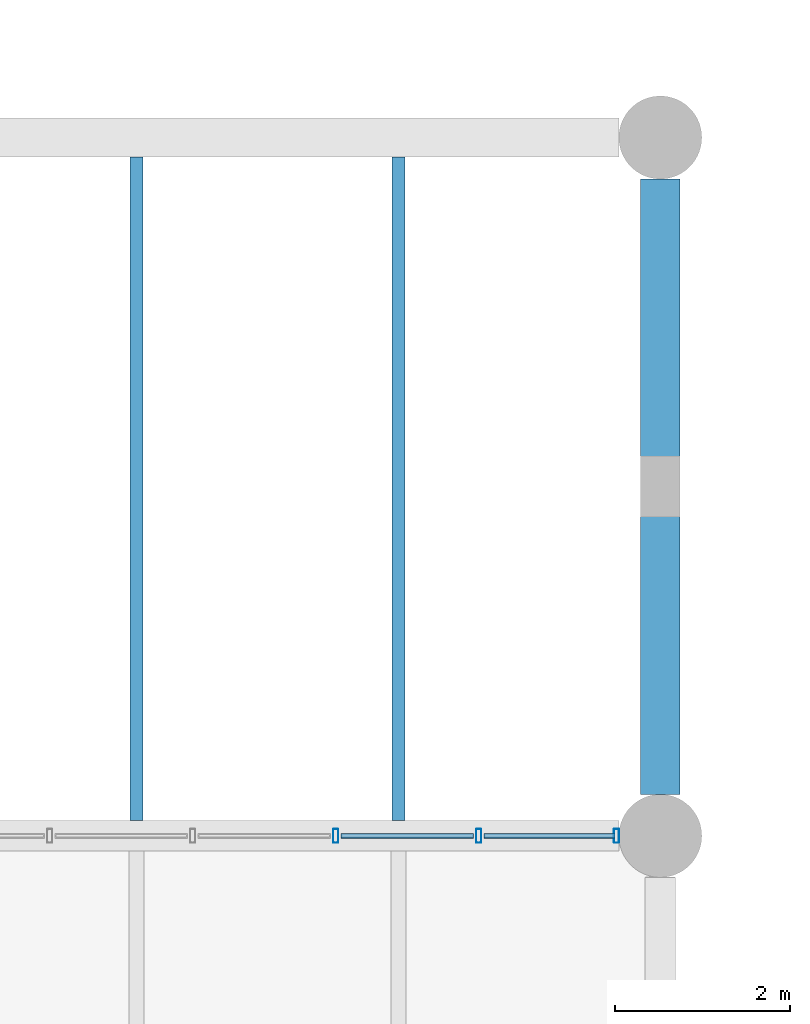
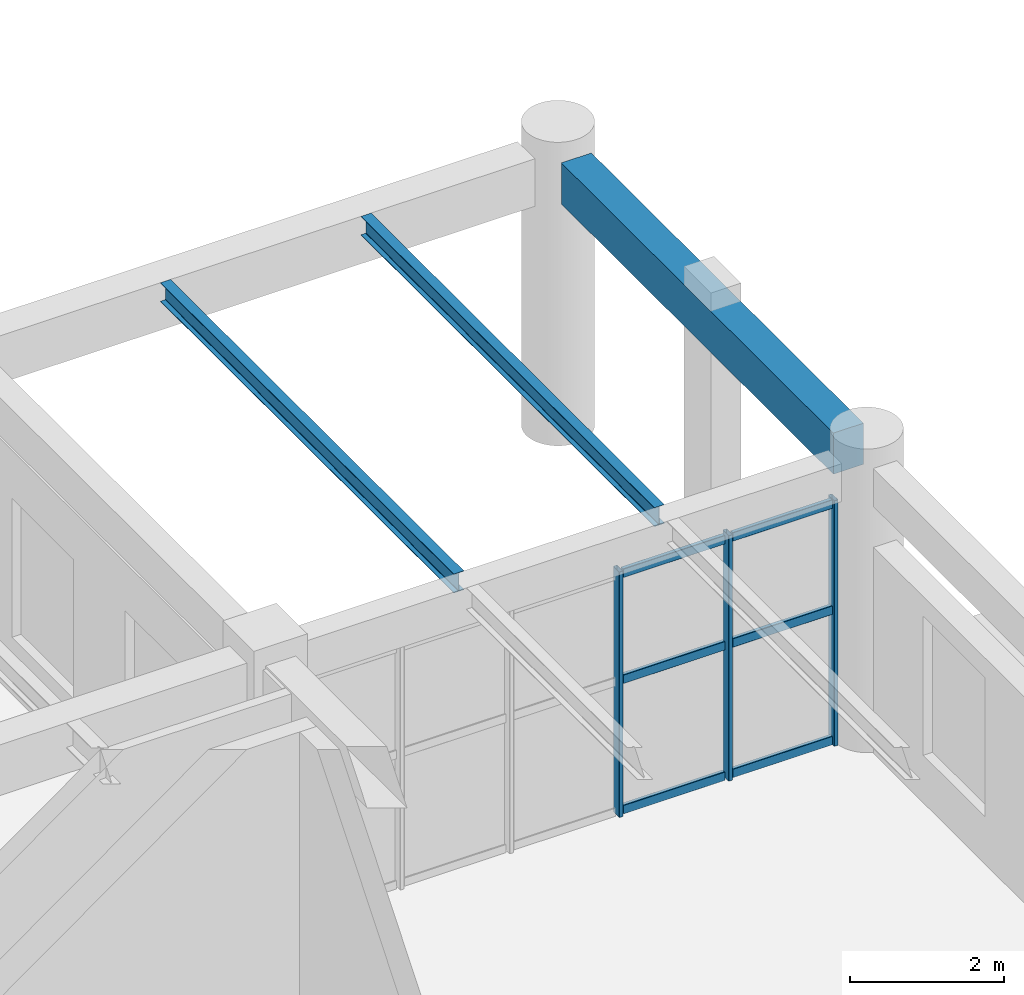
# One storey, part 100 of 178: 9 members, 3 beams, 1 element without a shape of its own.
"""IFC4 building model written with IfcOpenShell, lengths in metres."""

from ifc_helpers import new_model, si_unit, derived_unit, direction, frame, origin, origin_2d, place, context, subcontext, project, spatial, rectangle, hollow_rectangle, i_section, extrude, material, material_profile, profile_set, type_object, element, aggregate, save


model = new_model("IFC4")

# Units and contexts
model_context = context("Model", 3, precision=1e-05, world=origin(), true_north=direction((0.0, 1.0)))
body_context = subcontext(model_context, "Body", "Model", "MODEL_VIEW")
ifc_project = project(units=[si_unit("LENGTHUNIT", "METRE"), si_unit("AREAUNIT", "SQUARE_METRE"), si_unit("VOLUMEUNIT", "CUBIC_METRE"), si_unit("PLANEANGLEUNIT", "RADIAN"), si_unit("MASSUNIT", "GRAM", prefix="KILO"), derived_unit("THERMALTRANSMITTANCEUNIT", [(si_unit("MASSUNIT", "GRAM", prefix="KILO"), 1), (si_unit("TIMEUNIT", "SECOND"), -3), (si_unit("THERMODYNAMICTEMPERATUREUNIT", "KELVIN"), -1)])], contexts=[model_context])

# Site, building, storey
site_placement = place(None, origin())
site = spatial("IfcSite", under=ifc_project, at=site_placement, CompositionType="ELEMENT")
building_placement = place(site_placement, origin())
building = spatial("IfcBuilding", under=site, at=building_placement, Name="Zhenchuan Archway Interchange", CompositionType="ELEMENT")
storey_placement = place(building_placement, frame((0.0, 0.0, 5.39990234375)))
storey = spatial("IfcBuildingStorey", under=building, at=storey_placement, Name="L01", CompositionType="ELEMENT", Elevation=5.39990234375)

# Beam
ifc_material_1 = material(Name="Concrete C40", Category="concrete")
ifc_material_profile_1 = material_profile(ifc_material_1, rectangle(XDim=0.449951171875, YDim=0.64990234375, at=origin_2d()), Name="RC 450x650")
ifc_profile_set_1 = profile_set([ifc_material_profile_1], Name="Concrete C40")
beam_type_1 = type_object("IfcBeamType", Name="BM_RC_450x650", PredefinedType="BEAM", material=ifc_profile_set_1)
beam_placement = place(storey_placement, frame((72.0, 88.47509765625, 4.18505859375), z_axis=(0.0, 1.0, 0.0), x_axis=(-1.0, 0.0, 0.0)))
element("IfcBeam", 1, at=beam_placement, inside=storey, type_object=beam_type_1, Name="Beam 9:M-N (L01)", PredefinedType="BEAM", context=body_context, shape_type="SweptSolid", body=[
    extrude(rectangle(XDim=0.449951171875, YDim=0.64990234375, at=origin_2d()), origin(), (0.0, 0.0, 1.0), 7.0498046875),
])

# Curtain wall, members
ifc_material_2 = material(Name="Anodised Aluminium", Category="aluminium")
curtain_wall_type = type_object("IfcCurtainWallType", Name="CW_UNIT_1", PredefinedType="NOTDEFINED", material=ifc_material_2)
curtain_wall_placement = place(storey_placement, origin())
curtain_wall = element("IfcCurtainWall", 2, at=curtain_wall_placement, inside=storey, type_object=curtain_wall_type, Name="Unitised curtain wall CW:L01:052", PredefinedType="NOTDEFINED")
ifc_material_profile_2 = material_profile(ifc_material_2, hollow_rectangle(XDim=0.06005859375, YDim=0.159912109375, WallThickness=0.00390625, InnerFilletRadius=0.00390625, OuterFilletRadius=0.008056640625, at=origin_2d()), Name="ALU 160x60x4")
ifc_profile_set_2 = profile_set([ifc_material_profile_2], Name="Anodised Aluminium")
member_type_1 = type_object("IfcMemberType", Name="CW_MUL_150", PredefinedType="MULLION", material=ifc_profile_set_2)
member_1_placement = place(storey_placement, frame((68.281982421875, 88.0, 0.0), z_axis=(0.0, 0.0, 1.0), x_axis=(1.0, 0.0, 0.0)))
member_1 = element("IfcMember", 3, at=member_1_placement, type_object=member_type_1, Name="CW:L01:052 mullion 3", PredefinedType="MULLION", context=body_context, shape_type="SweptSolid", body=[
    extrude(hollow_rectangle(XDim=0.06005859375, YDim=0.159912109375, WallThickness=0.00390625, InnerFilletRadius=0.00390625, OuterFilletRadius=0.008056640625, at=origin_2d()), origin(), (0.0, 0.0, 1.0), 3.880126953125),
])
member_2_placement = place(storey_placement, frame((69.919921875, 88.0, 0.0), z_axis=(0.0, 0.0, 1.0), x_axis=(1.0, 0.0, 0.0)))
member_2 = element("IfcMember", 4, at=member_2_placement, type_object=member_type_1, Name="CW:L01:052 mullion 4", PredefinedType="MULLION", context=body_context, shape_type="SweptSolid", body=[
    extrude(hollow_rectangle(XDim=0.06005859375, YDim=0.159912109375, WallThickness=0.00390625, InnerFilletRadius=0.00390625, OuterFilletRadius=0.008056640625, at=origin_2d()), origin(), (0.0, 0.0, 1.0), 3.880126953125),
])
member_3_placement = place(storey_placement, frame((71.498046875, 88.0, 0.0), z_axis=(0.0, 0.0, 1.0), x_axis=(1.0, 0.0, 0.0)))
member_3 = element("IfcMember", 5, at=member_3_placement, type_object=member_type_1, Name="CW:L01:052 mullion 5", PredefinedType="MULLION", context=body_context, shape_type="SweptSolid", body=[
    extrude(hollow_rectangle(XDim=0.06005859375, YDim=0.159912109375, WallThickness=0.00390625, InnerFilletRadius=0.00390625, OuterFilletRadius=0.008056640625, at=origin_2d()), origin(), (0.0, 0.0, 1.0), 3.880126953125),
])
ifc_material_profile_3 = material_profile(ifc_material_2, hollow_rectangle(XDim=0.06005859375, YDim=0.139892578125, WallThickness=0.00341796875, InnerFilletRadius=0.00341796875, OuterFilletRadius=0.007080078125, at=origin_2d()), Name="ALU 140x60x3.5")
ifc_profile_set_3 = profile_set([ifc_material_profile_3], Name="Anodised Aluminium")
member_type_2 = type_object("IfcMemberType", Name="CW_TRN_140", PredefinedType="USERDEFINED", material=ifc_profile_set_3)
member_4_placement = place(storey_placement, frame((68.342041015625, 88.0, 0.06005859375), z_axis=(1.0, 0.0, 0.0), x_axis=(0.0, 1.0, 0.0)))
member_4 = element("IfcMember", 6, at=member_4_placement, type_object=member_type_2, Name="CW:L01:052 transom 3-1", ObjectType="TRANSOM", PredefinedType="USERDEFINED", context=body_context, shape_type="SweptSolid", body=[
    extrude(hollow_rectangle(XDim=0.06005859375, YDim=0.139892578125, WallThickness=0.00341796875, InnerFilletRadius=0.00341796875, OuterFilletRadius=0.007080078125, at=origin_2d()), origin(), (0.0, 0.0, 1.0), 1.51806640625),
])
member_5_placement = place(storey_placement, frame((68.342041015625, 88.0, 2.123046875), z_axis=(1.0, 0.0, 0.0), x_axis=(0.0, 1.0, 0.0)))
member_5 = element("IfcMember", 7, at=member_5_placement, type_object=member_type_2, Name="CW:L01:052 transom 3-2", ObjectType="TRANSOM", PredefinedType="USERDEFINED", context=body_context, shape_type="SweptSolid", body=[
    extrude(hollow_rectangle(XDim=0.06005859375, YDim=0.139892578125, WallThickness=0.00341796875, InnerFilletRadius=0.00341796875, OuterFilletRadius=0.007080078125, at=origin_2d()), origin(), (0.0, 0.0, 1.0), 1.51806640625),
])
member_6_placement = place(storey_placement, frame((68.342041015625, 88.0, 3.800048828125), z_axis=(1.0, 0.0, 0.0), x_axis=(0.0, 1.0, 0.0)))
member_6 = element("IfcMember", 8, at=member_6_placement, type_object=member_type_2, Name="CW:L01:052 transom 3-3", ObjectType="TRANSOM", PredefinedType="USERDEFINED", context=body_context, shape_type="SweptSolid", body=[
    extrude(hollow_rectangle(XDim=0.06005859375, YDim=0.139892578125, WallThickness=0.00341796875, InnerFilletRadius=0.00341796875, OuterFilletRadius=0.007080078125, at=origin_2d()), origin(), (0.0, 0.0, 1.0), 1.51806640625),
])
member_7_placement = place(storey_placement, frame((69.97998046875, 88.0, 0.06005859375), z_axis=(1.0, 0.0, 0.0), x_axis=(0.0, 1.0, 0.0)))
member_7 = element("IfcMember", 9, at=member_7_placement, type_object=member_type_2, Name="CW:L01:052 transom 4-1", ObjectType="TRANSOM", PredefinedType="USERDEFINED", context=body_context, shape_type="SweptSolid", body=[
    extrude(hollow_rectangle(XDim=0.06005859375, YDim=0.139892578125, WallThickness=0.00341796875, InnerFilletRadius=0.00341796875, OuterFilletRadius=0.007080078125, at=origin_2d()), origin(), (0.0, 0.0, 1.0), 1.498046875),
])
member_8_placement = place(storey_placement, frame((69.97998046875, 88.0, 2.123046875), z_axis=(1.0, 0.0, 0.0), x_axis=(0.0, 1.0, 0.0)))
member_8 = element("IfcMember", 10, at=member_8_placement, type_object=member_type_2, Name="CW:L01:052 transom 4-2", ObjectType="TRANSOM", PredefinedType="USERDEFINED", context=body_context, shape_type="SweptSolid", body=[
    extrude(hollow_rectangle(XDim=0.06005859375, YDim=0.139892578125, WallThickness=0.00341796875, InnerFilletRadius=0.00341796875, OuterFilletRadius=0.007080078125, at=origin_2d()), origin(), (0.0, 0.0, 1.0), 1.498046875),
])
member_9_placement = place(storey_placement, frame((69.97998046875, 88.0, 3.800048828125), z_axis=(1.0, 0.0, 0.0), x_axis=(0.0, 1.0, 0.0)))
member_9 = element("IfcMember", 11, at=member_9_placement, type_object=member_type_2, Name="CW:L01:052 transom 4-3", ObjectType="TRANSOM", PredefinedType="USERDEFINED", context=body_context, shape_type="SweptSolid", body=[
    extrude(hollow_rectangle(XDim=0.06005859375, YDim=0.139892578125, WallThickness=0.00341796875, InnerFilletRadius=0.00341796875, OuterFilletRadius=0.007080078125, at=origin_2d()), origin(), (0.0, 0.0, 1.0), 1.498046875),
])
aggregate(curtain_wall, [member_1, member_2, member_3, member_4, member_5, member_6, member_7, member_8, member_9])

# Beams
ifc_material_3 = material(Name="Steel Q355", Category="steel")
ifc_material_profile_4 = material_profile(ifc_material_3, i_section(OverallWidth=0.14990234375, OverallDepth=0.300048828125, WebThickness=0.006591796875, FlangeThickness=0.009033203125, FilletRadius=0.012939453125, at=origin_2d()), Name="HN 300x150")
ifc_profile_set_4 = profile_set([ifc_material_profile_4], Name="Steel Q355")
beam_type_2 = type_object("IfcBeamType", Name="JST_STL_HN300", PredefinedType="JOIST", material=ifc_profile_set_4)
for number, where, z_axis, x_axis, name in (
    (12, (66.0, 88.175048828125, 4.360107421875), (0.0, 1.0, 0.0), (-1.0, 0.0, 0.0), "Secondary joist 8-9/M-N #1 (L01)"),
    (13, (69.0, 88.175048828125, 4.360107421875), (0.0, 1.0, 0.0), (-1.0, 0.0, 0.0), "Secondary joist 8-9/M-N #2 (L01)"),
):
    element("IfcBeam", number, at=place(storey_placement, frame(where, z_axis=z_axis, x_axis=x_axis)), inside=storey, type_object=beam_type_2, Name=name, PredefinedType="JOIST", context=body_context, shape_type="SweptSolid", body=[
        extrude(i_section(OverallWidth=0.14990234375, OverallDepth=0.300048828125, WebThickness=0.006591796875, FlangeThickness=0.009033203125, FilletRadius=0.012939453125, at=origin_2d()), origin(), (0.0, 0.0, 1.0), 7.599853515625),
    ])

save(model, "model.ifc")
